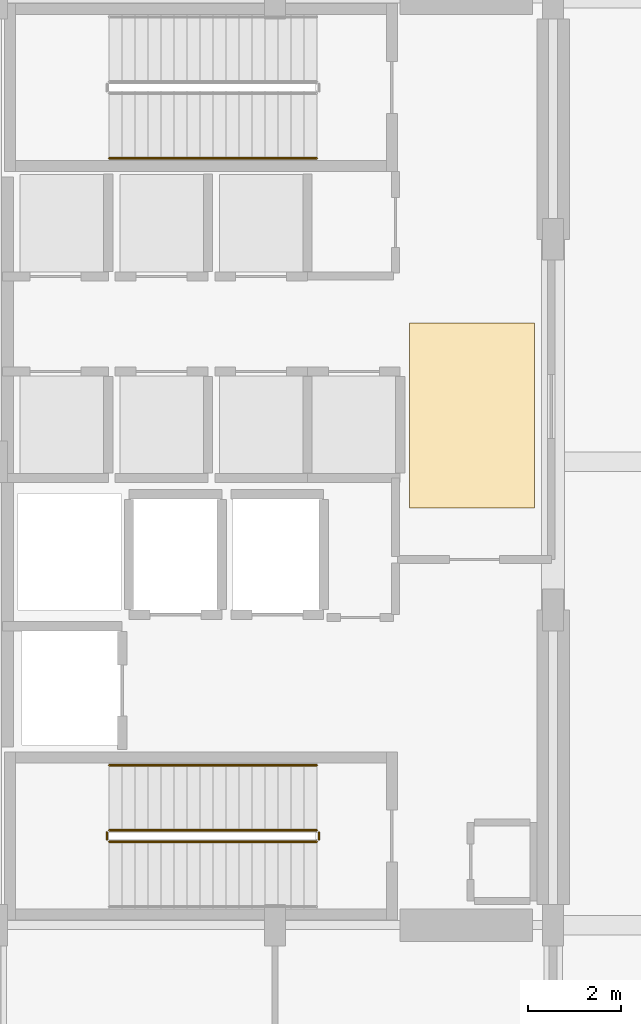
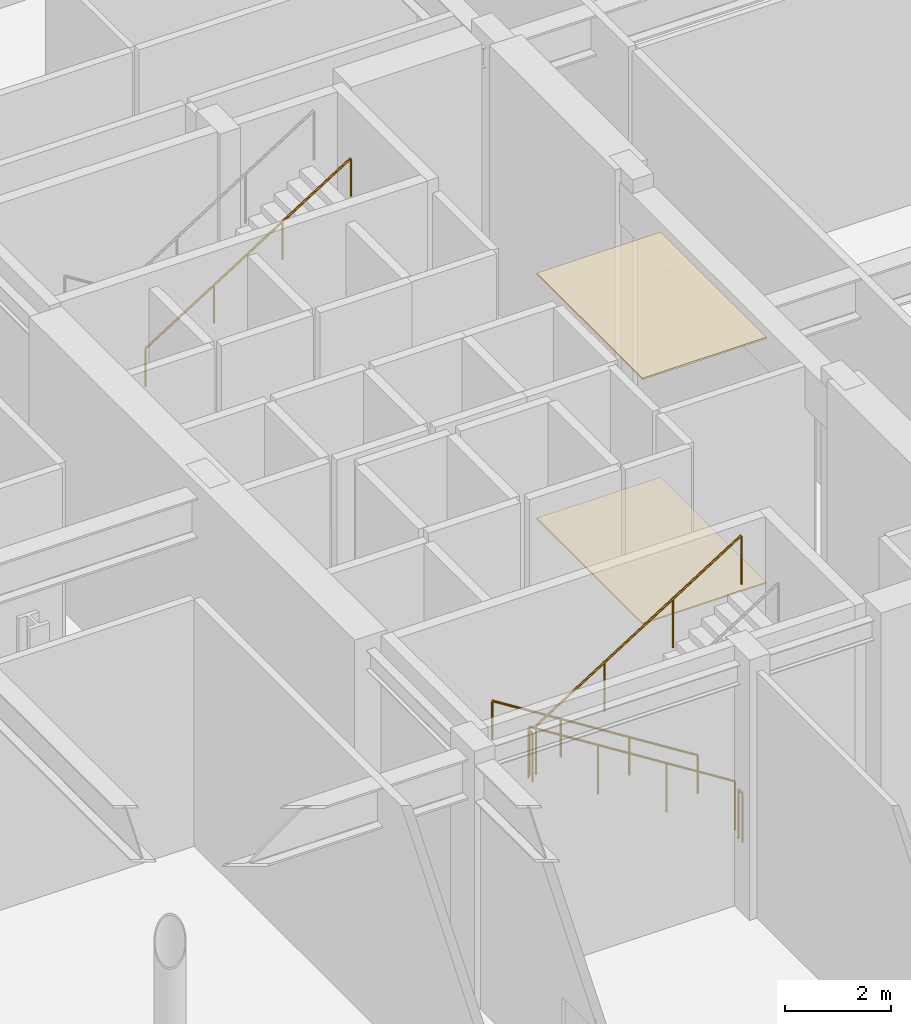
# One storey, part 27 of 31: 6 railings, 2 coverings.
"""IFC4 building model written with IfcOpenShell, lengths in metres."""

from ifc_helpers import new_model, si_unit, direction, frame, origin, origin_2d, place, context, subcontext, project, spatial, polyline, circle, outline, extrude, material, layer, layer_set, type_object, element, save


model = new_model("IFC4")

# Units and contexts
model_context = context("Model", 3, precision=1e-05, world=origin(), true_north=direction((0.0, 1.0)))
body_context = subcontext(model_context, "Body", "Model", "MODEL_VIEW")
ifc_project = project(units=[si_unit("LENGTHUNIT", "METRE"), si_unit("AREAUNIT", "SQUARE_METRE"), si_unit("VOLUMEUNIT", "CUBIC_METRE"), si_unit("PLANEANGLEUNIT", "RADIAN"), si_unit("MASSUNIT", "GRAM", prefix="KILO")], contexts=[model_context])

# Site, building, storey
site_placement = place(None, origin())
site = spatial("IfcSite", under=ifc_project, at=site_placement, CompositionType="ELEMENT")
building_placement = place(site_placement, origin())
building = spatial("IfcBuilding", under=site, at=building_placement, Name="Soratama Intermodal Tower", CompositionType="ELEMENT")
storey_placement = place(building_placement, origin())
storey = spatial("IfcBuildingStorey", under=building, at=storey_placement, Name="L00", CompositionType="ELEMENT", Elevation=0.0)

# Coverings
ifc_material_1 = material(Name="Perforated mineral acoustic ceiling", Category="concrete")
ifc_layer_1 = layer(ifc_material_1, 0.0400390625)
ifc_layer_set_1 = layer_set([ifc_layer_1], Name="Perforated mineral acoustic ceiling")
covering_type_1 = type_object("IfcCoveringType", Name="CV-CEIL-ACOUSTIC", PredefinedType="CEILING", material=ifc_layer_set_1)
covering_1_placement = place(storey_placement, frame((0.0, 0.0, 5.639892578125)))
element("IfcCovering", 1, at=covering_1_placement, inside=storey, type_object=covering_type_1, Name="L00 Acoustic Ceiling", PredefinedType="CEILING", context=body_context, shape_type="SweptSolid", body=[
    extrude(outline(polyline([(41.5, 24.0), (44.199951171875, 24.0), (44.199951171875, 28.0), (41.5, 28.0), (41.5, 24.0)])), origin(), (0.0, 0.0, 1.0), 0.0400390625),
])
ifc_material_2 = material(Name="Polished Andean stone terrazzo flooring", Category="masonry")
ifc_layer_2 = layer(ifc_material_2, 0.030029296875)
ifc_layer_set_2 = layer_set([ifc_layer_2], Name="Polished Andean stone terrazzo flooring")
covering_type_2 = type_object("IfcCoveringType", Name="CV-FLOR-TERRAZZO", PredefinedType="FLOORING", material=ifc_layer_set_2)
covering_2_placement = place(storey_placement, origin())
element("IfcCovering", 2, at=covering_2_placement, inside=storey, type_object=covering_type_2, Name="L00 Lobby Terrazzo Flooring", PredefinedType="FLOORING", context=body_context, shape_type="SweptSolid", body=[
    extrude(outline(polyline([(41.5, 24.0), (44.199951171875, 24.0), (44.199951171875, 28.0), (41.5, 28.0), (41.5, 24.0)])), origin(), (0.0, 0.0, 1.0), 0.030029296875),
])

# Railings
ifc_material_3 = material(Name="Painted steel stair guardrail", Category="steel")
railing_type_1 = type_object("IfcRailingType", Name="RL-STAIR-GUARD", PredefinedType="GUARDRAIL", material=ifc_material_3)
railing_1_placement = place(storey_placement, frame((39.5, 17.050048828125, 0.176513671875)))
element("IfcRailing", 3, at=railing_1_placement, inside=storey, type_object=railing_type_1, Name="L00 ST-1 stair guard 1", PredefinedType="GUARDRAIL", context=body_context, shape_type="SweptSolid", body=[
    extrude(circle(Radius=0.02392578125, at=origin_2d()), frame((0.0, 0.0, 1.1259765625), z_axis=(-0.845997938375, 0.0, 0.533186166611), x_axis=(0.0, -1.0, 0.0)), (0.0, 0.0, 1.0), 5.29541015625),
    extrude(circle(Radius=0.02099609375, at=origin_2d()), origin(), (0.0, 0.0, 1.0), 1.101806640625),
    extrude(circle(Radius=0.02099609375, at=origin_2d()), frame((-1.493408203125, 0.0, 0.941162109375)), (0.0, 0.0, 1.0), 1.101806640625),
    extrude(circle(Radius=0.02099609375, at=origin_2d()), frame((-2.986572265625, 0.0, 1.88232421875)), (0.0, 0.0, 1.0), 1.101806640625),
    extrude(circle(Radius=0.02099609375, at=origin_2d()), frame((-4.47998046875, 0.0, 2.823486328125)), (0.0, 0.0, 1.0), 1.101806640625),
])
railing_2_placement = place(storey_placement, frame((34.969970703125, 17.0, 3.0)))
element("IfcRailing", 4, at=railing_2_placement, inside=storey, type_object=railing_type_1, Name="L00 ST-1 stair guard 2", PredefinedType="GUARDRAIL", context=body_context, shape_type="SweptSolid", body=[
    extrude(circle(Radius=0.02392578125, at=origin_2d()), frame((0.0, 0.0, 1.1259765625), z_axis=(0.0, -1.0, 0.0), x_axis=(1.0, 0.0, 0.0)), (0.0, 0.0, 1.0), 0.14990234375),
    extrude(circle(Radius=0.02099609375, at=origin_2d()), origin(), (0.0, 0.0, 1.0), 1.101806640625),
    extrude(circle(Radius=0.02099609375, at=origin_2d()), frame((0.0, -0.14990234375, 0.0)), (0.0, 0.0, 1.0), 1.101806640625),
])
railing_3_placement = place(storey_placement, frame((35.02001953125, 16.800048828125, 3.176513671875)))
element("IfcRailing", 5, at=railing_3_placement, inside=storey, type_object=railing_type_1, Name="L00 ST-1 stair guard 3", PredefinedType="GUARDRAIL", context=body_context, shape_type="SweptSolid", body=[
    extrude(circle(Radius=0.02392578125, at=origin_2d()), frame((0.0, 0.0, 1.1259765625), z_axis=(0.845997938375, 0.0, 0.533186166611), x_axis=(0.0, 1.0, 0.0)), (0.0, 0.0, 1.0), 5.29541015625),
    extrude(circle(Radius=0.02099609375, at=origin_2d()), origin(), (0.0, 0.0, 1.0), 1.101806640625),
    extrude(circle(Radius=0.02099609375, at=origin_2d()), frame((1.493408203125, 0.0, 0.941162109375)), (0.0, 0.0, 1.0), 1.101806640625),
    extrude(circle(Radius=0.02099609375, at=origin_2d()), frame((2.986572265625, 0.0, 1.88232421875)), (0.0, 0.0, 1.0), 1.101806640625),
    extrude(circle(Radius=0.02099609375, at=origin_2d()), frame((4.47998046875, 0.0, 2.823486328125)), (0.0, 0.0, 1.0), 1.101806640625),
])
railing_4_placement = place(storey_placement, frame((39.550048828125, 17.0, 0.0)))
element("IfcRailing", 6, at=railing_4_placement, inside=storey, type_object=railing_type_1, Name="L00 ST-1 stair guard 4", PredefinedType="GUARDRAIL", context=body_context, shape_type="SweptSolid", body=[
    extrude(circle(Radius=0.02392578125, at=origin_2d()), frame((0.0, 0.0, 1.1259765625), z_axis=(0.0, -1.0, 0.0), x_axis=(1.0, 0.0, 0.0)), (0.0, 0.0, 1.0), 0.14990234375),
    extrude(circle(Radius=0.02099609375, at=origin_2d()), origin(), (0.0, 0.0, 1.0), 1.101806640625),
    extrude(circle(Radius=0.02099609375, at=origin_2d()), frame((0.0, -0.14990234375, 0.0)), (0.0, 0.0, 1.0), 1.101806640625),
])
ifc_material_4 = material(Name="Brushed stainless steel handrail", Category="steel")
railing_type_2 = type_object("IfcRailingType", Name="RL-STAIR-HAND", PredefinedType="HANDRAIL", material=ifc_material_4)
railing_5_placement = place(storey_placement, frame((39.5, 18.449951171875, 0.176513671875)))
element("IfcRailing", 7, at=railing_5_placement, inside=storey, type_object=railing_type_2, Name="L00 ST-1 stair handrail 1", PredefinedType="HANDRAIL", context=body_context, shape_type="SweptSolid", body=[
    extrude(circle(Radius=0.02392578125, at=origin_2d()), frame((0.0, 0.0, 0.8759765625), z_axis=(-0.845997938375, 0.0, 0.533186166611), x_axis=(0.0, -1.0, 0.0)), (0.0, 0.0, 1.0), 5.29541015625),
    extrude(circle(Radius=0.02099609375, at=origin_2d()), origin(), (0.0, 0.0, 1.0), 0.851806640625),
    extrude(circle(Radius=0.02099609375, at=origin_2d()), frame((-1.493408203125, 0.0, 0.941162109375)), (0.0, 0.0, 1.0), 0.851806640625),
    extrude(circle(Radius=0.02099609375, at=origin_2d()), frame((-2.986572265625, 0.0, 1.88232421875)), (0.0, 0.0, 1.0), 0.851806640625),
    extrude(circle(Radius=0.02099609375, at=origin_2d()), frame((-4.47998046875, 0.0, 2.823486328125)), (0.0, 0.0, 1.0), 0.851806640625),
])
railing_6_placement = place(storey_placement, frame((35.02001953125, 31.550048828125, 3.176513671875)))
element("IfcRailing", 8, at=railing_6_placement, inside=storey, type_object=railing_type_2, Name="L00 ST-2 stair handrail 2", PredefinedType="HANDRAIL", context=body_context, shape_type="SweptSolid", body=[
    extrude(circle(Radius=0.02392578125, at=origin_2d()), frame((0.0, 0.0, 0.8759765625), z_axis=(0.845997938375, 0.0, 0.533186166611), x_axis=(0.0, 1.0, 0.0)), (0.0, 0.0, 1.0), 5.29541015625),
    extrude(circle(Radius=0.02099609375, at=origin_2d()), origin(), (0.0, 0.0, 1.0), 0.851806640625),
    extrude(circle(Radius=0.02099609375, at=origin_2d()), frame((1.493408203125, 0.0, 0.941162109375)), (0.0, 0.0, 1.0), 0.851806640625),
    extrude(circle(Radius=0.02099609375, at=origin_2d()), frame((2.986572265625, 0.0, 1.88232421875)), (0.0, 0.0, 1.0), 0.851806640625),
    extrude(circle(Radius=0.02099609375, at=origin_2d()), frame((4.47998046875, 0.0, 2.823486328125)), (0.0, 0.0, 1.0), 0.851806640625),
])

save(model, "model.ifc")
